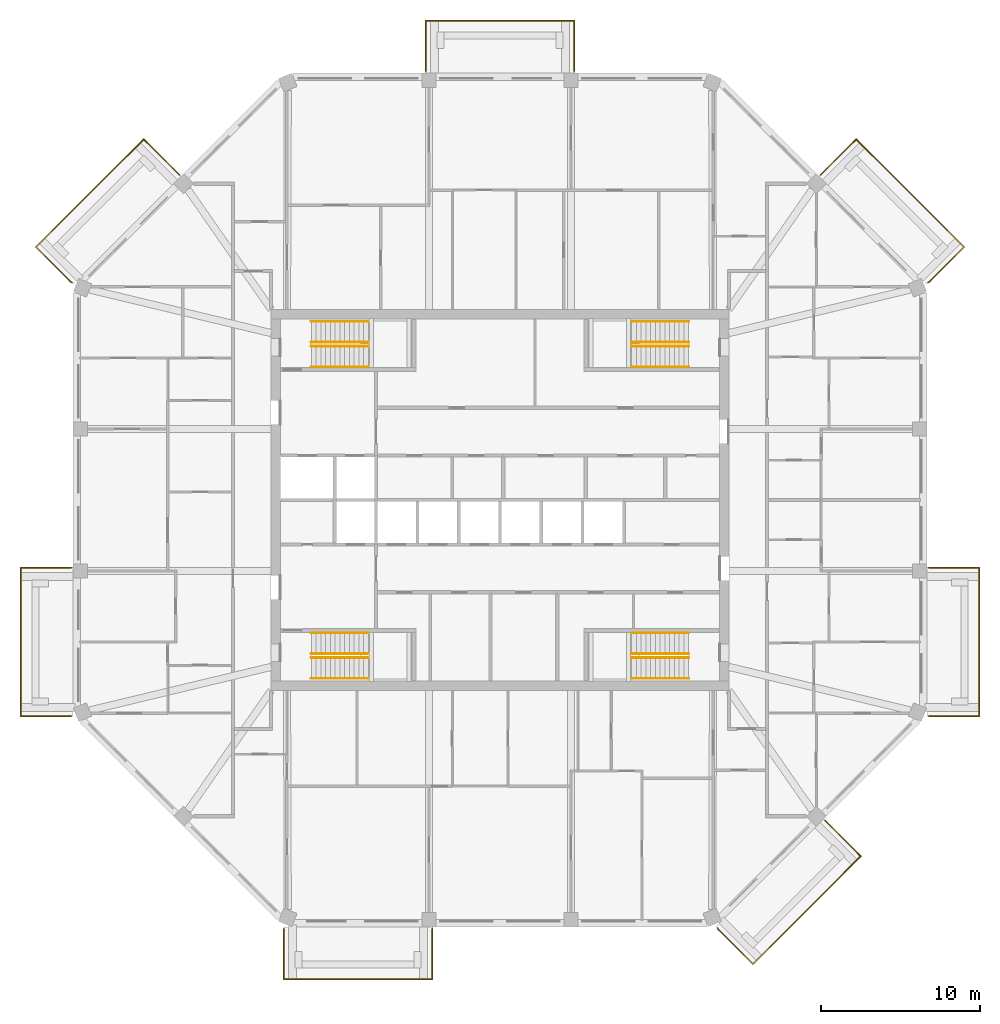
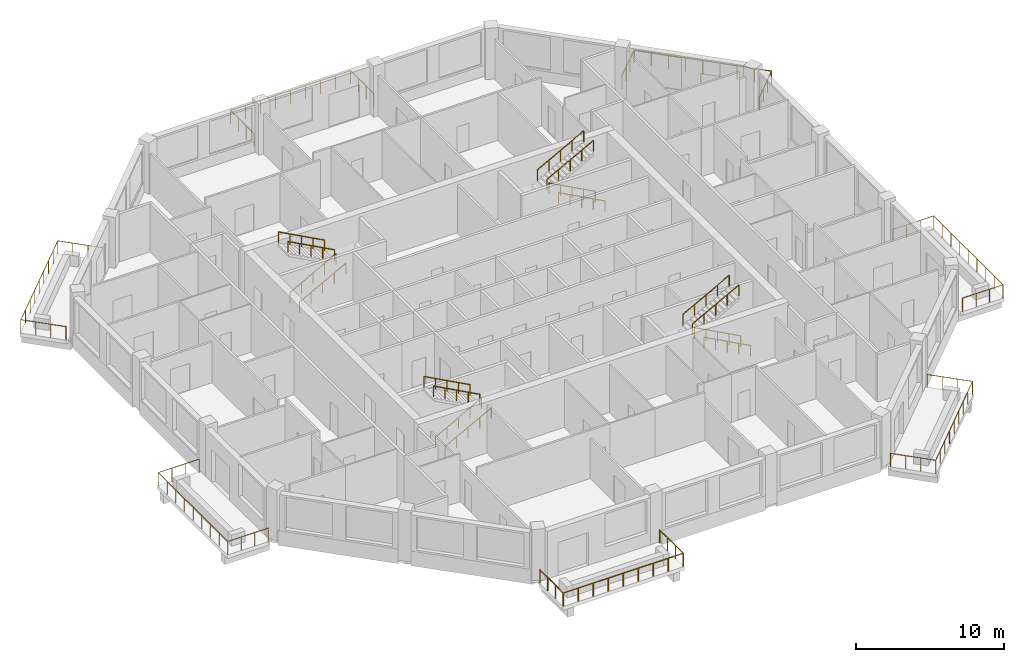
# One storey, part 11 of 11: 23 railings.
"""IFC4 building model written with IfcOpenShell, lengths in metres."""

from ifc_helpers import new_model, si_unit, direction, frame, origin, origin_2d, place, context, subcontext, project, spatial, circle, extrude, material, constituent, constituent_set, type_object, element, save


model = new_model("IFC4")

# Units and contexts
model_context = context("Model", 3, precision=1e-05, world=origin(), true_north=direction((0.0, 1.0)))
body_context = subcontext(model_context, "Body", "Model", "MODEL_VIEW")
ifc_project = project(units=[si_unit("LENGTHUNIT", "METRE"), si_unit("AREAUNIT", "SQUARE_METRE"), si_unit("VOLUMEUNIT", "CUBIC_METRE"), si_unit("PLANEANGLEUNIT", "RADIAN"), si_unit("MASSUNIT", "GRAM", prefix="KILO")], contexts=[model_context])

# Site, building, storey
site_placement = place(None, origin())
site = spatial("IfcSite", under=ifc_project, at=site_placement, CompositionType="ELEMENT")
building_placement = place(site_placement, origin())
building = spatial("IfcBuilding", under=site, at=building_placement, Name="Msitu Wima Residences", CompositionType="ELEMENT")
storey_placement = place(building_placement, frame((0.0, 0.0, 268.5)))
storey = spatial("IfcBuildingStorey", under=building, at=storey_placement, Name="L62", CompositionType="ELEMENT", Elevation=268.5)

# Railings
ifc_material_1 = material(Name="Steel S355", Category="steel")
ifc_constituent_1 = constituent(ifc_material_1, Name="Steel S355")
ifc_material_2 = material(Name="Weathering patina")
ifc_constituent_2 = constituent(ifc_material_2, Name="Weathering patina")
ifc_constituent_set_1 = constituent_set(constituents=[ifc_constituent_1, ifc_constituent_2], Name="Steel S355")
railing_type_1 = type_object("IfcRailingType", Name="Balcony guard GR1100", PredefinedType="GUARDRAIL", material=ifc_constituent_set_1)
railing_1_placement = place(storey_placement, frame((26.97998046875, -4.2685546875, 0.0)))
element("IfcRailing", 1, at=railing_1_placement, inside=storey, type_object=railing_type_1, Name="Balcony guard E0 L62", PredefinedType="GUARDRAIL", context=body_context, shape_type="SweptSolid", body=[
    extrude(circle(Radius=0.02392578125, at=origin_2d()), frame((0.0, 0.0, 1.076171875), z_axis=(1.0, 0.0, 0.0), x_axis=(0.0, 1.0, 0.0)), (0.0, 0.0, 1.0), 3.169921875),
    extrude(circle(Radius=0.02392578125, at=origin_2d()), frame((3.169921875, 0.0, 1.076171875), z_axis=(0.0, -1.0, 0.0), x_axis=(1.0, 0.0, 0.0)), (0.0, 0.0, 1.0), 9.33740234375),
    extrude(circle(Radius=0.02392578125, at=origin_2d()), frame((3.169921875, -9.33740234375, 1.076171875), z_axis=(-1.0, 0.0, 0.0), x_axis=(0.0, -1.0, 0.0)), (0.0, 0.0, 1.0), 3.136474609375),
    extrude(circle(Radius=0.02392578125, at=origin_2d()), frame((0.033447265625, -9.33740234375, 1.076171875), z_axis=(-0.923276184907, 0.384136806859, 0.0), x_axis=(-0.384136806859, -0.923276184907, 0.0)), (0.0, 0.0, 1.0), 0.0361328125),
    extrude(circle(Radius=0.02099609375, at=origin_2d()), origin(), (0.0, 0.0, 1.0), 1.052001953125),
    extrude(circle(Radius=0.02099609375, at=origin_2d()), frame((1.056640625, 0.0, 0.0)), (0.0, 0.0, 1.0), 1.052001953125),
    extrude(circle(Radius=0.02099609375, at=origin_2d()), frame((2.11328125, 0.0, 0.0)), (0.0, 0.0, 1.0), 1.052001953125),
    extrude(circle(Radius=0.02099609375, at=origin_2d()), frame((3.169921875, 0.0, 0.0)), (0.0, 0.0, 1.0), 1.052001953125),
    extrude(circle(Radius=0.02099609375, at=origin_2d()), frame((3.169921875, -1.167236328125, 0.0)), (0.0, 0.0, 1.0), 1.052001953125),
    extrude(circle(Radius=0.02099609375, at=origin_2d()), frame((3.169921875, -2.33447265625, 0.0)), (0.0, 0.0, 1.0), 1.052001953125),
    extrude(circle(Radius=0.02099609375, at=origin_2d()), frame((3.169921875, -3.50146484375, 0.0)), (0.0, 0.0, 1.0), 1.052001953125),
    extrude(circle(Radius=0.02099609375, at=origin_2d()), frame((3.169921875, -4.668701171875, 0.0)), (0.0, 0.0, 1.0), 1.052001953125),
    extrude(circle(Radius=0.02099609375, at=origin_2d()), frame((3.169921875, -5.8359375, 0.0)), (0.0, 0.0, 1.0), 1.052001953125),
    extrude(circle(Radius=0.02099609375, at=origin_2d()), frame((3.169921875, -7.0029296875, 0.0)), (0.0, 0.0, 1.0), 1.052001953125),
    extrude(circle(Radius=0.02099609375, at=origin_2d()), frame((3.169921875, -8.170166015625, 0.0)), (0.0, 0.0, 1.0), 1.052001953125),
    extrude(circle(Radius=0.02099609375, at=origin_2d()), frame((3.169921875, -9.33740234375, 0.0)), (0.0, 0.0, 1.0), 1.052001953125),
    extrude(circle(Radius=0.02099609375, at=origin_2d()), frame((2.12451171875, -9.33740234375, 0.0)), (0.0, 0.0, 1.0), 1.052001953125),
    extrude(circle(Radius=0.02099609375, at=origin_2d()), frame((1.078857421875, -9.33740234375, 0.0)), (0.0, 0.0, 1.0), 1.052001953125),
    extrude(circle(Radius=0.02099609375, at=origin_2d()), frame((0.033447265625, -9.33740234375, 0.0)), (0.0, 0.0, 1.0), 1.052001953125),
    extrude(circle(Radius=0.02099609375, at=origin_2d()), frame((0.0, -9.323486328125, 0.0)), (0.0, 0.0, 1.0), 1.052001953125),
])
railing_2_placement = place(storey_placement, frame((20.171630859375, 20.45458984375, 0.0)))
element("IfcRailing", 2, at=railing_2_placement, inside=storey, type_object=railing_type_1, Name="Balcony guard NE0 L62", PredefinedType="GUARDRAIL", context=body_context, shape_type="SweptSolid", body=[
    extrude(circle(Radius=0.02392578125, at=origin_2d()), frame((0.0, 0.0, 1.076171875), z_axis=(0.707106781187, 0.707106781187, 0.0), x_axis=(-0.707106781187, 0.707106781187, 0.0)), (0.0, 0.0, 1.0), 3.169921875),
    extrude(circle(Radius=0.02392578125, at=origin_2d()), frame((2.241455078125, 2.241455078125, 1.076171875), z_axis=(0.707106781187, -0.707106781187, 0.0), x_axis=(0.707106781187, 0.707106781187, 0.0)), (0.0, 0.0, 1.0), 9.58837890625),
    extrude(circle(Radius=0.02392578125, at=origin_2d()), frame((9.021484375, -4.53857421875, 1.076171875), z_axis=(-0.707106781187, -0.707106781187, 0.0), x_axis=(0.707106781187, -0.707106781187, 0.0)), (0.0, 0.0, 1.0), 3.136474609375),
    extrude(circle(Radius=0.02392578125, at=origin_2d()), frame((6.8037109375, -6.75634765625, 1.076171875), z_axis=(-0.92426142649, -0.38176015442, 0.0), x_axis=(0.38176015442, -0.92426142649, 0.0)), (0.0, 0.0, 1.0), 0.036376953125),
    extrude(circle(Radius=0.02099609375, at=origin_2d()), origin(), (0.0, 0.0, 1.0), 1.052001953125),
    extrude(circle(Radius=0.02099609375, at=origin_2d()), frame((0.7470703125, 0.7470703125, 0.0)), (0.0, 0.0, 1.0), 1.052001953125),
    extrude(circle(Radius=0.02099609375, at=origin_2d()), frame((1.494384765625, 1.494384765625, 0.0)), (0.0, 0.0, 1.0), 1.052001953125),
    extrude(circle(Radius=0.02099609375, at=origin_2d()), frame((2.241455078125, 2.241455078125, 0.0)), (0.0, 0.0, 1.0), 1.052001953125),
    extrude(circle(Radius=0.02099609375, at=origin_2d()), frame((3.0888671875, 1.39404296875, 0.0)), (0.0, 0.0, 1.0), 1.052001953125),
    extrude(circle(Radius=0.02099609375, at=origin_2d()), frame((3.9365234375, 0.54638671875, 0.0)), (0.0, 0.0, 1.0), 1.052001953125),
    extrude(circle(Radius=0.02099609375, at=origin_2d()), frame((4.783935546875, -0.301025390625, 0.0)), (0.0, 0.0, 1.0), 1.052001953125),
    extrude(circle(Radius=0.02099609375, at=origin_2d()), frame((5.63134765625, -1.1484375, 0.0)), (0.0, 0.0, 1.0), 1.052001953125),
    extrude(circle(Radius=0.02099609375, at=origin_2d()), frame((6.47900390625, -1.99609375, 0.0)), (0.0, 0.0, 1.0), 1.052001953125),
    extrude(circle(Radius=0.02099609375, at=origin_2d()), frame((7.326416015625, -2.843505859375, 0.0)), (0.0, 0.0, 1.0), 1.052001953125),
    extrude(circle(Radius=0.02099609375, at=origin_2d()), frame((8.174072265625, -3.691162109375, 0.0)), (0.0, 0.0, 1.0), 1.052001953125),
    extrude(circle(Radius=0.02099609375, at=origin_2d()), frame((9.021484375, -4.53857421875, 0.0)), (0.0, 0.0, 1.0), 1.052001953125),
    extrude(circle(Radius=0.02099609375, at=origin_2d()), frame((8.2822265625, -5.27783203125, 0.0)), (0.0, 0.0, 1.0), 1.052001953125),
    extrude(circle(Radius=0.02099609375, at=origin_2d()), frame((7.54296875, -6.01708984375, 0.0)), (0.0, 0.0, 1.0), 1.052001953125),
    extrude(circle(Radius=0.02099609375, at=origin_2d()), frame((6.8037109375, -6.75634765625, 0.0)), (0.0, 0.0, 1.0), 1.052001953125),
    extrude(circle(Radius=0.02099609375, at=origin_2d()), frame((6.77001953125, -6.770263671875, 0.0)), (0.0, 0.0, 1.0), 1.052001953125),
])
railing_3_placement = place(storey_placement, frame((-4.668701171875, 26.97998046875, 0.0)))
element("IfcRailing", 3, at=railing_3_placement, inside=storey, type_object=railing_type_1, Name="Balcony guard N1 L62", PredefinedType="GUARDRAIL", context=body_context, shape_type="SweptSolid", body=[
    extrude(circle(Radius=0.02392578125, at=origin_2d()), frame((0.0, 0.0, 1.076171875), z_axis=(0.0, 1.0, 0.0), x_axis=(-1.0, 0.0, 0.0)), (0.0, 0.0, 1.0), 3.169921875),
    extrude(circle(Radius=0.02392578125, at=origin_2d()), frame((0.0, 3.169921875, 1.076171875), z_axis=(1.0, 0.0, 0.0), x_axis=(0.0, 1.0, 0.0)), (0.0, 0.0, 1.0), 9.33740234375),
    extrude(circle(Radius=0.02392578125, at=origin_2d()), frame((9.33740234375, 3.169921875, 1.076171875), z_axis=(0.0, -1.0, 0.0), x_axis=(1.0, 0.0, 0.0)), (0.0, 0.0, 1.0), 3.169921875),
    extrude(circle(Radius=0.02099609375, at=origin_2d()), origin(), (0.0, 0.0, 1.0), 1.052001953125),
    extrude(circle(Radius=0.02099609375, at=origin_2d()), frame((0.0, 1.056640625, 0.0)), (0.0, 0.0, 1.0), 1.052001953125),
    extrude(circle(Radius=0.02099609375, at=origin_2d()), frame((0.0, 2.11328125, 0.0)), (0.0, 0.0, 1.0), 1.052001953125),
    extrude(circle(Radius=0.02099609375, at=origin_2d()), frame((0.0, 3.169921875, 0.0)), (0.0, 0.0, 1.0), 1.052001953125),
    extrude(circle(Radius=0.02099609375, at=origin_2d()), frame((1.167236328125, 3.169921875, 0.0)), (0.0, 0.0, 1.0), 1.052001953125),
    extrude(circle(Radius=0.02099609375, at=origin_2d()), frame((2.33447265625, 3.169921875, 0.0)), (0.0, 0.0, 1.0), 1.052001953125),
    extrude(circle(Radius=0.02099609375, at=origin_2d()), frame((3.50146484375, 3.169921875, 0.0)), (0.0, 0.0, 1.0), 1.052001953125),
    extrude(circle(Radius=0.02099609375, at=origin_2d()), frame((4.668701171875, 3.169921875, 0.0)), (0.0, 0.0, 1.0), 1.052001953125),
    extrude(circle(Radius=0.02099609375, at=origin_2d()), frame((5.8359375, 3.169921875, 0.0)), (0.0, 0.0, 1.0), 1.052001953125),
    extrude(circle(Radius=0.02099609375, at=origin_2d()), frame((7.0029296875, 3.169921875, 0.0)), (0.0, 0.0, 1.0), 1.052001953125),
    extrude(circle(Radius=0.02099609375, at=origin_2d()), frame((8.170166015625, 3.169921875, 0.0)), (0.0, 0.0, 1.0), 1.052001953125),
    extrude(circle(Radius=0.02099609375, at=origin_2d()), frame((9.33740234375, 3.169921875, 0.0)), (0.0, 0.0, 1.0), 1.052001953125),
    extrude(circle(Radius=0.02099609375, at=origin_2d()), frame((9.33740234375, 2.11328125, 0.0)), (0.0, 0.0, 1.0), 1.052001953125),
    extrude(circle(Radius=0.02099609375, at=origin_2d()), frame((9.33740234375, 1.056640625, 0.0)), (0.0, 0.0, 1.0), 1.052001953125),
    extrude(circle(Radius=0.02099609375, at=origin_2d()), frame((9.33740234375, 0.0, 0.0)), (0.0, 0.0, 1.0), 1.052001953125),
])
railing_4_placement = place(storey_placement, frame((-26.941650390625, 13.684326171875, 0.0)))
element("IfcRailing", 4, at=railing_4_placement, inside=storey, type_object=railing_type_1, Name="Balcony guard NW1 L62", PredefinedType="GUARDRAIL", context=body_context, shape_type="SweptSolid", body=[
    extrude(circle(Radius=0.02392578125, at=origin_2d()), frame((0.0, 0.0, 1.076171875), z_axis=(-0.92426142649, 0.38176015442, 0.0), x_axis=(-0.38176015442, -0.92426142649, 0.0)), (0.0, 0.0, 1.0), 0.036376953125),
    extrude(circle(Radius=0.02392578125, at=origin_2d()), frame((-0.03369140625, 0.013916015625, 1.076171875), z_axis=(-0.707106781187, 0.707106781187, 0.0), x_axis=(-0.707106781187, -0.707106781187, 0.0)), (0.0, 0.0, 1.0), 3.136474609375),
    extrude(circle(Radius=0.02392578125, at=origin_2d()), frame((-2.25146484375, 2.231689453125, 1.076171875), z_axis=(0.707106781187, 0.707106781187, 0.0), x_axis=(-0.707106781187, 0.707106781187, 0.0)), (0.0, 0.0, 1.0), 9.58837890625),
    extrude(circle(Radius=0.02392578125, at=origin_2d()), frame((4.528564453125, 9.01171875, 1.076171875), z_axis=(0.707106781187, -0.707106781187, 0.0), x_axis=(0.707106781187, 0.707106781187, 0.0)), (0.0, 0.0, 1.0), 3.169921875),
    extrude(circle(Radius=0.02099609375, at=origin_2d()), origin(), (0.0, 0.0, 1.0), 1.052001953125),
    extrude(circle(Radius=0.02099609375, at=origin_2d()), frame((-0.03369140625, 0.013916015625, 0.0)), (0.0, 0.0, 1.0), 1.052001953125),
    extrude(circle(Radius=0.02099609375, at=origin_2d()), frame((-0.77294921875, 0.753173828125, 0.0)), (0.0, 0.0, 1.0), 1.052001953125),
    extrude(circle(Radius=0.02099609375, at=origin_2d()), frame((-1.51220703125, 1.492431640625, 0.0)), (0.0, 0.0, 1.0), 1.052001953125),
    extrude(circle(Radius=0.02099609375, at=origin_2d()), frame((-2.25146484375, 2.231689453125, 0.0)), (0.0, 0.0, 1.0), 1.052001953125),
    extrude(circle(Radius=0.02099609375, at=origin_2d()), frame((-1.404052734375, 3.0791015625, 0.0)), (0.0, 0.0, 1.0), 1.052001953125),
    extrude(circle(Radius=0.02099609375, at=origin_2d()), frame((-0.556396484375, 3.9267578125, 0.0)), (0.0, 0.0, 1.0), 1.052001953125),
    extrude(circle(Radius=0.02099609375, at=origin_2d()), frame((0.291015625, 4.774169921875, 0.0)), (0.0, 0.0, 1.0), 1.052001953125),
    extrude(circle(Radius=0.02099609375, at=origin_2d()), frame((1.138671875, 5.62158203125, 0.0)), (0.0, 0.0, 1.0), 1.052001953125),
    extrude(circle(Radius=0.02099609375, at=origin_2d()), frame((1.986083984375, 6.46923828125, 0.0)), (0.0, 0.0, 1.0), 1.052001953125),
    extrude(circle(Radius=0.02099609375, at=origin_2d()), frame((2.83349609375, 7.316650390625, 0.0)), (0.0, 0.0, 1.0), 1.052001953125),
    extrude(circle(Radius=0.02099609375, at=origin_2d()), frame((3.68115234375, 8.164306640625, 0.0)), (0.0, 0.0, 1.0), 1.052001953125),
    extrude(circle(Radius=0.02099609375, at=origin_2d()), frame((4.528564453125, 9.01171875, 0.0)), (0.0, 0.0, 1.0), 1.052001953125),
    extrude(circle(Radius=0.02099609375, at=origin_2d()), frame((5.275634765625, 8.2646484375, 0.0)), (0.0, 0.0, 1.0), 1.052001953125),
    extrude(circle(Radius=0.02099609375, at=origin_2d()), frame((6.02294921875, 7.517333984375, 0.0)), (0.0, 0.0, 1.0), 1.052001953125),
    extrude(circle(Radius=0.02099609375, at=origin_2d()), frame((6.77001953125, 6.770263671875, 0.0)), (0.0, 0.0, 1.0), 1.052001953125),
])
railing_5_placement = place(storey_placement, frame((-26.97998046875, -13.592041015625, 0.0)))
element("IfcRailing", 5, at=railing_5_placement, inside=storey, type_object=railing_type_1, Name="Balcony guard W2 L62", PredefinedType="GUARDRAIL", context=body_context, shape_type="SweptSolid", body=[
    extrude(circle(Radius=0.02392578125, at=origin_2d()), frame((0.0, 0.0, 1.076171875), z_axis=(-0.923276184907, -0.384136806859, 0.0), x_axis=(0.384136806859, -0.923276184907, 0.0)), (0.0, 0.0, 1.0), 0.0361328125),
    extrude(circle(Radius=0.02392578125, at=origin_2d()), frame((-0.033447265625, -0.013916015625, 1.076171875), z_axis=(-1.0, 0.0, 0.0), x_axis=(0.0, -1.0, 0.0)), (0.0, 0.0, 1.0), 3.136474609375),
    extrude(circle(Radius=0.02392578125, at=origin_2d()), frame((-3.169921875, -0.013916015625, 1.076171875), z_axis=(0.0, 1.0, 0.0), x_axis=(-1.0, 0.0, 0.0)), (0.0, 0.0, 1.0), 9.33740234375),
    extrude(circle(Radius=0.02392578125, at=origin_2d()), frame((-3.169921875, 9.323486328125, 1.076171875), z_axis=(1.0, 0.0, 0.0), x_axis=(0.0, 1.0, 0.0)), (0.0, 0.0, 1.0), 3.169921875),
    extrude(circle(Radius=0.02099609375, at=origin_2d()), origin(), (0.0, 0.0, 1.0), 1.052001953125),
    extrude(circle(Radius=0.02099609375, at=origin_2d()), frame((-0.033447265625, -0.013916015625, 0.0)), (0.0, 0.0, 1.0), 1.052001953125),
    extrude(circle(Radius=0.02099609375, at=origin_2d()), frame((-1.078857421875, -0.013916015625, 0.0)), (0.0, 0.0, 1.0), 1.052001953125),
    extrude(circle(Radius=0.02099609375, at=origin_2d()), frame((-2.12451171875, -0.013916015625, 0.0)), (0.0, 0.0, 1.0), 1.052001953125),
    extrude(circle(Radius=0.02099609375, at=origin_2d()), frame((-3.169921875, -0.013916015625, 0.0)), (0.0, 0.0, 1.0), 1.052001953125),
    extrude(circle(Radius=0.02099609375, at=origin_2d()), frame((-3.169921875, 1.1533203125, 0.0)), (0.0, 0.0, 1.0), 1.052001953125),
    extrude(circle(Radius=0.02099609375, at=origin_2d()), frame((-3.169921875, 2.3203125, 0.0)), (0.0, 0.0, 1.0), 1.052001953125),
    extrude(circle(Radius=0.02099609375, at=origin_2d()), frame((-3.169921875, 3.487548828125, 0.0)), (0.0, 0.0, 1.0), 1.052001953125),
    extrude(circle(Radius=0.02099609375, at=origin_2d()), frame((-3.169921875, 4.65478515625, 0.0)), (0.0, 0.0, 1.0), 1.052001953125),
    extrude(circle(Radius=0.02099609375, at=origin_2d()), frame((-3.169921875, 5.822021484375, 0.0)), (0.0, 0.0, 1.0), 1.052001953125),
    extrude(circle(Radius=0.02099609375, at=origin_2d()), frame((-3.169921875, 6.9892578125, 0.0)), (0.0, 0.0, 1.0), 1.052001953125),
    extrude(circle(Radius=0.02099609375, at=origin_2d()), frame((-3.169921875, 8.15625, 0.0)), (0.0, 0.0, 1.0), 1.052001953125),
    extrude(circle(Radius=0.02099609375, at=origin_2d()), frame((-3.169921875, 9.323486328125, 0.0)), (0.0, 0.0, 1.0), 1.052001953125),
    extrude(circle(Radius=0.02099609375, at=origin_2d()), frame((-2.11328125, 9.323486328125, 0.0)), (0.0, 0.0, 1.0), 1.052001953125),
    extrude(circle(Radius=0.02099609375, at=origin_2d()), frame((-1.056640625, 9.323486328125, 0.0)), (0.0, 0.0, 1.0), 1.052001953125),
    extrude(circle(Radius=0.02099609375, at=origin_2d()), frame((0.0, 9.323486328125, 0.0)), (0.0, 0.0, 1.0), 1.052001953125),
])
railing_6_placement = place(storey_placement, frame((-4.2685546875, -26.97998046875, 0.0)))
element("IfcRailing", 6, at=railing_6_placement, inside=storey, type_object=railing_type_1, Name="Balcony guard S0 L62", PredefinedType="GUARDRAIL", context=body_context, shape_type="SweptSolid", body=[
    extrude(circle(Radius=0.02392578125, at=origin_2d()), frame((0.0, 0.0, 1.076171875), z_axis=(0.0, -1.0, 0.0), x_axis=(1.0, 0.0, 0.0)), (0.0, 0.0, 1.0), 3.169921875),
    extrude(circle(Radius=0.02392578125, at=origin_2d()), frame((0.0, -3.169921875, 1.076171875), z_axis=(-1.0, 0.0, 0.0), x_axis=(0.0, -1.0, 0.0)), (0.0, 0.0, 1.0), 9.33740234375),
    extrude(circle(Radius=0.02392578125, at=origin_2d()), frame((-9.33740234375, -3.169921875, 1.076171875), z_axis=(0.0, 1.0, 0.0), x_axis=(-1.0, 0.0, 0.0)), (0.0, 0.0, 1.0), 3.136474609375),
    extrude(circle(Radius=0.02392578125, at=origin_2d()), frame((-9.33740234375, -0.033447265625, 1.076171875), z_axis=(0.384136806859, 0.923276184907, 0.0), x_axis=(-0.923276184907, 0.384136806859, 0.0)), (0.0, 0.0, 1.0), 0.0361328125),
    extrude(circle(Radius=0.02099609375, at=origin_2d()), origin(), (0.0, 0.0, 1.0), 1.052001953125),
    extrude(circle(Radius=0.02099609375, at=origin_2d()), frame((0.0, -1.056640625, 0.0)), (0.0, 0.0, 1.0), 1.052001953125),
    extrude(circle(Radius=0.02099609375, at=origin_2d()), frame((0.0, -2.11328125, 0.0)), (0.0, 0.0, 1.0), 1.052001953125),
    extrude(circle(Radius=0.02099609375, at=origin_2d()), frame((0.0, -3.169921875, 0.0)), (0.0, 0.0, 1.0), 1.052001953125),
    extrude(circle(Radius=0.02099609375, at=origin_2d()), frame((-1.167236328125, -3.169921875, 0.0)), (0.0, 0.0, 1.0), 1.052001953125),
    extrude(circle(Radius=0.02099609375, at=origin_2d()), frame((-2.33447265625, -3.169921875, 0.0)), (0.0, 0.0, 1.0), 1.052001953125),
    extrude(circle(Radius=0.02099609375, at=origin_2d()), frame((-3.50146484375, -3.169921875, 0.0)), (0.0, 0.0, 1.0), 1.052001953125),
    extrude(circle(Radius=0.02099609375, at=origin_2d()), frame((-4.668701171875, -3.169921875, 0.0)), (0.0, 0.0, 1.0), 1.052001953125),
    extrude(circle(Radius=0.02099609375, at=origin_2d()), frame((-5.8359375, -3.169921875, 0.0)), (0.0, 0.0, 1.0), 1.052001953125),
    extrude(circle(Radius=0.02099609375, at=origin_2d()), frame((-7.0029296875, -3.169921875, 0.0)), (0.0, 0.0, 1.0), 1.052001953125),
    extrude(circle(Radius=0.02099609375, at=origin_2d()), frame((-8.170166015625, -3.169921875, 0.0)), (0.0, 0.0, 1.0), 1.052001953125),
    extrude(circle(Radius=0.02099609375, at=origin_2d()), frame((-9.33740234375, -3.169921875, 0.0)), (0.0, 0.0, 1.0), 1.052001953125),
    extrude(circle(Radius=0.02099609375, at=origin_2d()), frame((-9.33740234375, -2.12451171875, 0.0)), (0.0, 0.0, 1.0), 1.052001953125),
    extrude(circle(Radius=0.02099609375, at=origin_2d()), frame((-9.33740234375, -1.078857421875, 0.0)), (0.0, 0.0, 1.0), 1.052001953125),
    extrude(circle(Radius=0.02099609375, at=origin_2d()), frame((-9.33740234375, -0.033447265625, 0.0)), (0.0, 0.0, 1.0), 1.052001953125),
    extrude(circle(Radius=0.02099609375, at=origin_2d()), frame((-9.323486328125, 0.0, 0.0)), (0.0, 0.0, 1.0), 1.052001953125),
])
railing_7_placement = place(storey_placement, frame((20.45458984375, -20.171630859375, 0.0)))
element("IfcRailing", 7, at=railing_7_placement, inside=storey, type_object=railing_type_1, Name="Balcony guard SE0 L62", PredefinedType="GUARDRAIL", context=body_context, shape_type="SweptSolid", body=[
    extrude(circle(Radius=0.02392578125, at=origin_2d()), frame((0.0, 0.0, 1.076171875), z_axis=(0.707106781187, -0.707106781187, 0.0), x_axis=(0.707106781187, 0.707106781187, 0.0)), (0.0, 0.0, 1.0), 3.169921875),
    extrude(circle(Radius=0.02392578125, at=origin_2d()), frame((2.241455078125, -2.241455078125, 1.076171875), z_axis=(-0.707106781187, -0.707106781187, 0.0), x_axis=(0.707106781187, -0.707106781187, 0.0)), (0.0, 0.0, 1.0), 9.58837890625),
    extrude(circle(Radius=0.02392578125, at=origin_2d()), frame((-4.53857421875, -9.021484375, 1.076171875), z_axis=(-0.707106781187, 0.707106781187, 0.0), x_axis=(-0.707106781187, -0.707106781187, 0.0)), (0.0, 0.0, 1.0), 3.136474609375),
    extrude(circle(Radius=0.02392578125, at=origin_2d()), frame((-6.75634765625, -6.8037109375, 1.076171875), z_axis=(-0.38176015442, 0.92426142649, 0.0), x_axis=(-0.92426142649, -0.38176015442, 0.0)), (0.0, 0.0, 1.0), 0.036376953125),
    extrude(circle(Radius=0.02099609375, at=origin_2d()), origin(), (0.0, 0.0, 1.0), 1.052001953125),
    extrude(circle(Radius=0.02099609375, at=origin_2d()), frame((0.7470703125, -0.7470703125, 0.0)), (0.0, 0.0, 1.0), 1.052001953125),
    extrude(circle(Radius=0.02099609375, at=origin_2d()), frame((1.494384765625, -1.494384765625, 0.0)), (0.0, 0.0, 1.0), 1.052001953125),
    extrude(circle(Radius=0.02099609375, at=origin_2d()), frame((2.241455078125, -2.241455078125, 0.0)), (0.0, 0.0, 1.0), 1.052001953125),
    extrude(circle(Radius=0.02099609375, at=origin_2d()), frame((1.39404296875, -3.0888671875, 0.0)), (0.0, 0.0, 1.0), 1.052001953125),
    extrude(circle(Radius=0.02099609375, at=origin_2d()), frame((0.54638671875, -3.9365234375, 0.0)), (0.0, 0.0, 1.0), 1.052001953125),
    extrude(circle(Radius=0.02099609375, at=origin_2d()), frame((-0.301025390625, -4.783935546875, 0.0)), (0.0, 0.0, 1.0), 1.052001953125),
    extrude(circle(Radius=0.02099609375, at=origin_2d()), frame((-1.1484375, -5.63134765625, 0.0)), (0.0, 0.0, 1.0), 1.052001953125),
    extrude(circle(Radius=0.02099609375, at=origin_2d()), frame((-1.99609375, -6.47900390625, 0.0)), (0.0, 0.0, 1.0), 1.052001953125),
    extrude(circle(Radius=0.02099609375, at=origin_2d()), frame((-2.843505859375, -7.326416015625, 0.0)), (0.0, 0.0, 1.0), 1.052001953125),
    extrude(circle(Radius=0.02099609375, at=origin_2d()), frame((-3.691162109375, -8.174072265625, 0.0)), (0.0, 0.0, 1.0), 1.052001953125),
    extrude(circle(Radius=0.02099609375, at=origin_2d()), frame((-4.53857421875, -9.021484375, 0.0)), (0.0, 0.0, 1.0), 1.052001953125),
    extrude(circle(Radius=0.02099609375, at=origin_2d()), frame((-5.27783203125, -8.2822265625, 0.0)), (0.0, 0.0, 1.0), 1.052001953125),
    extrude(circle(Radius=0.02099609375, at=origin_2d()), frame((-6.01708984375, -7.54296875, 0.0)), (0.0, 0.0, 1.0), 1.052001953125),
    extrude(circle(Radius=0.02099609375, at=origin_2d()), frame((-6.75634765625, -6.8037109375, 0.0)), (0.0, 0.0, 1.0), 1.052001953125),
    extrude(circle(Radius=0.02099609375, at=origin_2d()), frame((-6.770263671875, -6.77001953125, 0.0)), (0.0, 0.0, 1.0), 1.052001953125),
])
ifc_constituent_3 = constituent(ifc_material_1, Name="Steel S355")
ifc_material_3 = material(Name="Black powder coating")
ifc_constituent_4 = constituent(ifc_material_3, Name="Black powder coating")
ifc_constituent_set_2 = constituent_set(constituents=[ifc_constituent_3, ifc_constituent_4], Name="Steel S355")
railing_type_2 = type_object("IfcRailingType", Name="Stair handrail HR1", PredefinedType="HANDRAIL", material=ifc_constituent_set_2)
for number, where, name in (
    (8, (-11.875, 8.375, 0.16162109375), "Stair 1 handrail"),
    (9, (-11.875, 9.675048828125, 0.16162109375), "Stair 1 handrail"),
):
    element("IfcRailing", number, at=place(storey_placement, frame(where)), inside=storey, type_object=railing_type_2, Name=name, PredefinedType="HANDRAIL", context=body_context, shape_type="SweptSolid", body=[
        extrude(circle(Radius=0.02392578125, at=origin_2d()), frame((0.0, 0.0, 0.8759765625), z_axis=(0.880474934443, 0.0, 0.474092701714), x_axis=(0.0, 1.0, 0.0)), (0.0, 0.0, 1.0), 4.0888671875),
        extrude(circle(Radius=0.02099609375, at=origin_2d()), origin(), (0.0, 0.0, 1.0), 0.851806640625),
        extrude(circle(Radius=0.02099609375, at=origin_2d()), frame((0.89990234375, 0.0, 0.484619140625)), (0.0, 0.0, 1.0), 0.851806640625),
        extrude(circle(Radius=0.02099609375, at=origin_2d()), frame((1.800048828125, 0.0, 0.96923828125)), (0.0, 0.0, 1.0), 0.851806640625),
        extrude(circle(Radius=0.02099609375, at=origin_2d()), frame((2.7001953125, 0.0, 1.453857421875)), (0.0, 0.0, 1.0), 0.851806640625),
        extrude(circle(Radius=0.02099609375, at=origin_2d()), frame((3.60009765625, 0.0, 1.9384765625)), (0.0, 0.0, 1.0), 0.851806640625),
    ])
for number, where, name in (
    (10, (-8.27490234375, 9.925048828125, 2.261474609375), "Stair 1 handrail"),
    (11, (-8.27490234375, 11.22509765625, 2.261474609375), "Stair 1 handrail"),
):
    element("IfcRailing", number, at=place(storey_placement, frame(where)), inside=storey, type_object=railing_type_2, Name=name, PredefinedType="HANDRAIL", context=body_context, shape_type="SweptSolid", body=[
        extrude(circle(Radius=0.02392578125, at=origin_2d()), frame((0.0, 0.0, 0.8759765625), z_axis=(-0.880474934443, 0.0, 0.474092701714), x_axis=(0.0, -1.0, 0.0)), (0.0, 0.0, 1.0), 4.0888671875),
        extrude(circle(Radius=0.02099609375, at=origin_2d()), origin(), (0.0, 0.0, 1.0), 0.851806640625),
        extrude(circle(Radius=0.02099609375, at=origin_2d()), frame((-0.89990234375, 0.0, 0.484619140625)), (0.0, 0.0, 1.0), 0.851806640625),
        extrude(circle(Radius=0.02099609375, at=origin_2d()), frame((-1.800048828125, 0.0, 0.96923828125)), (0.0, 0.0, 1.0), 0.851806640625),
        extrude(circle(Radius=0.02099609375, at=origin_2d()), frame((-2.7001953125, 0.0, 1.453857421875)), (0.0, 0.0, 1.0), 0.851806640625),
        extrude(circle(Radius=0.02099609375, at=origin_2d()), frame((-3.60009765625, 0.0, 1.9384765625)), (0.0, 0.0, 1.0), 0.851806640625),
    ])
for number, where, name in (
    (12, (-11.875, -11.22509765625, 0.16162109375), "Stair 2 handrail"),
    (13, (-11.875, -9.925048828125, 0.16162109375), "Stair 2 handrail"),
):
    element("IfcRailing", number, at=place(storey_placement, frame(where)), inside=storey, type_object=railing_type_2, Name=name, PredefinedType="HANDRAIL", context=body_context, shape_type="SweptSolid", body=[
        extrude(circle(Radius=0.02392578125, at=origin_2d()), frame((0.0, 0.0, 0.8759765625), z_axis=(0.880474934443, 0.0, 0.474092701714), x_axis=(0.0, 1.0, 0.0)), (0.0, 0.0, 1.0), 4.0888671875),
        extrude(circle(Radius=0.02099609375, at=origin_2d()), origin(), (0.0, 0.0, 1.0), 0.851806640625),
        extrude(circle(Radius=0.02099609375, at=origin_2d()), frame((0.89990234375, 0.0, 0.484619140625)), (0.0, 0.0, 1.0), 0.851806640625),
        extrude(circle(Radius=0.02099609375, at=origin_2d()), frame((1.800048828125, 0.0, 0.96923828125)), (0.0, 0.0, 1.0), 0.851806640625),
        extrude(circle(Radius=0.02099609375, at=origin_2d()), frame((2.7001953125, 0.0, 1.453857421875)), (0.0, 0.0, 1.0), 0.851806640625),
        extrude(circle(Radius=0.02099609375, at=origin_2d()), frame((3.60009765625, 0.0, 1.9384765625)), (0.0, 0.0, 1.0), 0.851806640625),
    ])
for number, where, name in (
    (14, (-8.27490234375, -9.675048828125, 2.261474609375), "Stair 2 handrail"),
    (15, (-8.27490234375, -8.375, 2.261474609375), "Stair 2 handrail"),
    (16, (11.875, 8.375, 0.16162109375), "Stair 3 handrail"),
    (17, (11.875, 9.675048828125, 0.16162109375), "Stair 3 handrail"),
):
    element("IfcRailing", number, at=place(storey_placement, frame(where)), inside=storey, type_object=railing_type_2, Name=name, PredefinedType="HANDRAIL", context=body_context, shape_type="SweptSolid", body=[
        extrude(circle(Radius=0.02392578125, at=origin_2d()), frame((0.0, 0.0, 0.8759765625), z_axis=(-0.880474934443, 0.0, 0.474092701714), x_axis=(0.0, -1.0, 0.0)), (0.0, 0.0, 1.0), 4.0888671875),
        extrude(circle(Radius=0.02099609375, at=origin_2d()), origin(), (0.0, 0.0, 1.0), 0.851806640625),
        extrude(circle(Radius=0.02099609375, at=origin_2d()), frame((-0.89990234375, 0.0, 0.484619140625)), (0.0, 0.0, 1.0), 0.851806640625),
        extrude(circle(Radius=0.02099609375, at=origin_2d()), frame((-1.800048828125, 0.0, 0.96923828125)), (0.0, 0.0, 1.0), 0.851806640625),
        extrude(circle(Radius=0.02099609375, at=origin_2d()), frame((-2.7001953125, 0.0, 1.453857421875)), (0.0, 0.0, 1.0), 0.851806640625),
        extrude(circle(Radius=0.02099609375, at=origin_2d()), frame((-3.60009765625, 0.0, 1.9384765625)), (0.0, 0.0, 1.0), 0.851806640625),
    ])
for number, where, name in (
    (18, (8.27490234375, 9.925048828125, 2.261474609375), "Stair 3 handrail"),
    (19, (8.27490234375, 11.22509765625, 2.261474609375), "Stair 3 handrail"),
):
    element("IfcRailing", number, at=place(storey_placement, frame(where)), inside=storey, type_object=railing_type_2, Name=name, PredefinedType="HANDRAIL", context=body_context, shape_type="SweptSolid", body=[
        extrude(circle(Radius=0.02392578125, at=origin_2d()), frame((0.0, 0.0, 0.8759765625), z_axis=(0.880474934443, 0.0, 0.474092701714), x_axis=(0.0, 1.0, 0.0)), (0.0, 0.0, 1.0), 4.0888671875),
        extrude(circle(Radius=0.02099609375, at=origin_2d()), origin(), (0.0, 0.0, 1.0), 0.851806640625),
        extrude(circle(Radius=0.02099609375, at=origin_2d()), frame((0.89990234375, 0.0, 0.484619140625)), (0.0, 0.0, 1.0), 0.851806640625),
        extrude(circle(Radius=0.02099609375, at=origin_2d()), frame((1.800048828125, 0.0, 0.96923828125)), (0.0, 0.0, 1.0), 0.851806640625),
        extrude(circle(Radius=0.02099609375, at=origin_2d()), frame((2.7001953125, 0.0, 1.453857421875)), (0.0, 0.0, 1.0), 0.851806640625),
        extrude(circle(Radius=0.02099609375, at=origin_2d()), frame((3.60009765625, 0.0, 1.9384765625)), (0.0, 0.0, 1.0), 0.851806640625),
    ])
for number, where, name in (
    (20, (11.875, -11.22509765625, 0.16162109375), "Stair 4 handrail"),
    (21, (11.875, -9.925048828125, 0.16162109375), "Stair 4 handrail"),
):
    element("IfcRailing", number, at=place(storey_placement, frame(where)), inside=storey, type_object=railing_type_2, Name=name, PredefinedType="HANDRAIL", context=body_context, shape_type="SweptSolid", body=[
        extrude(circle(Radius=0.02392578125, at=origin_2d()), frame((0.0, 0.0, 0.8759765625), z_axis=(-0.880474934443, 0.0, 0.474092701714), x_axis=(0.0, -1.0, 0.0)), (0.0, 0.0, 1.0), 4.0888671875),
        extrude(circle(Radius=0.02099609375, at=origin_2d()), origin(), (0.0, 0.0, 1.0), 0.851806640625),
        extrude(circle(Radius=0.02099609375, at=origin_2d()), frame((-0.89990234375, 0.0, 0.484619140625)), (0.0, 0.0, 1.0), 0.851806640625),
        extrude(circle(Radius=0.02099609375, at=origin_2d()), frame((-1.800048828125, 0.0, 0.96923828125)), (0.0, 0.0, 1.0), 0.851806640625),
        extrude(circle(Radius=0.02099609375, at=origin_2d()), frame((-2.7001953125, 0.0, 1.453857421875)), (0.0, 0.0, 1.0), 0.851806640625),
        extrude(circle(Radius=0.02099609375, at=origin_2d()), frame((-3.60009765625, 0.0, 1.9384765625)), (0.0, 0.0, 1.0), 0.851806640625),
    ])
for number, where, name in (
    (22, (8.27490234375, -9.675048828125, 2.261474609375), "Stair 4 handrail"),
    (23, (8.27490234375, -8.375, 2.261474609375), "Stair 4 handrail"),
):
    element("IfcRailing", number, at=place(storey_placement, frame(where)), inside=storey, type_object=railing_type_2, Name=name, PredefinedType="HANDRAIL", context=body_context, shape_type="SweptSolid", body=[
        extrude(circle(Radius=0.02392578125, at=origin_2d()), frame((0.0, 0.0, 0.8759765625), z_axis=(0.880474934443, 0.0, 0.474092701714), x_axis=(0.0, 1.0, 0.0)), (0.0, 0.0, 1.0), 4.0888671875),
        extrude(circle(Radius=0.02099609375, at=origin_2d()), origin(), (0.0, 0.0, 1.0), 0.851806640625),
        extrude(circle(Radius=0.02099609375, at=origin_2d()), frame((0.89990234375, 0.0, 0.484619140625)), (0.0, 0.0, 1.0), 0.851806640625),
        extrude(circle(Radius=0.02099609375, at=origin_2d()), frame((1.800048828125, 0.0, 0.96923828125)), (0.0, 0.0, 1.0), 0.851806640625),
        extrude(circle(Radius=0.02099609375, at=origin_2d()), frame((2.7001953125, 0.0, 1.453857421875)), (0.0, 0.0, 1.0), 0.851806640625),
        extrude(circle(Radius=0.02099609375, at=origin_2d()), frame((3.60009765625, 0.0, 1.9384765625)), (0.0, 0.0, 1.0), 0.851806640625),
    ])

save(model, "model.ifc")
